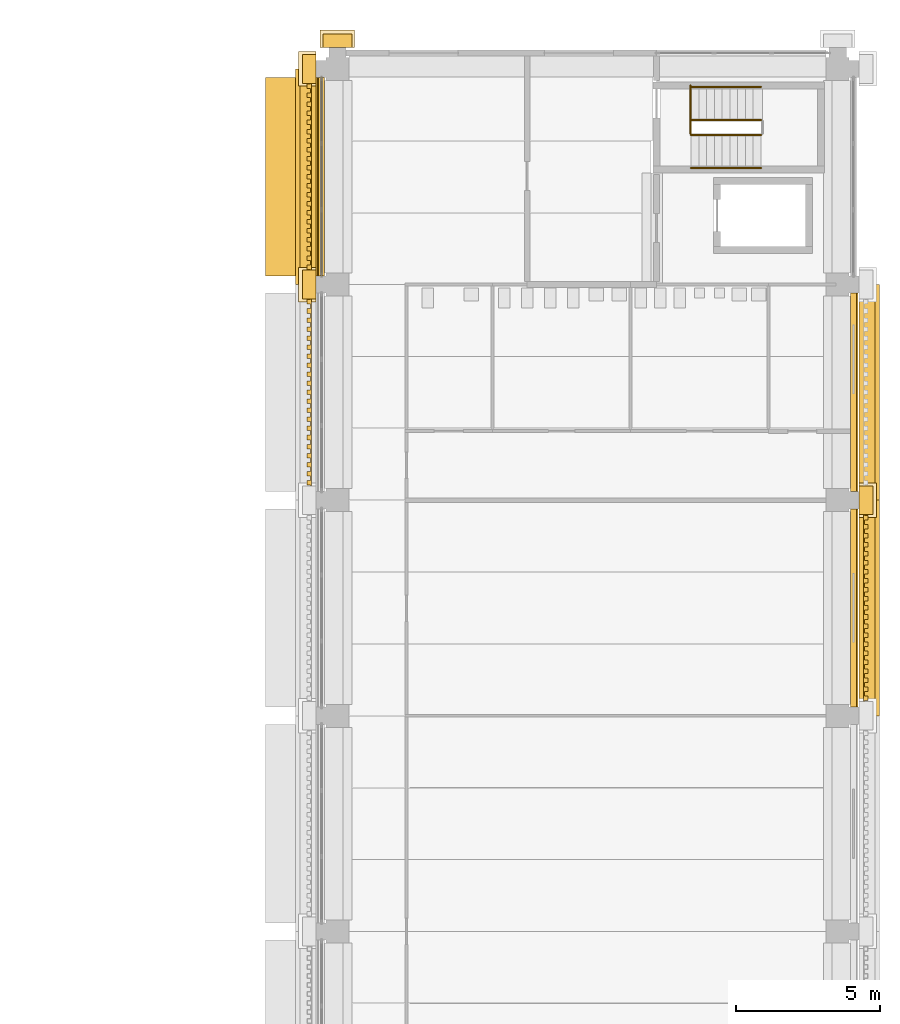
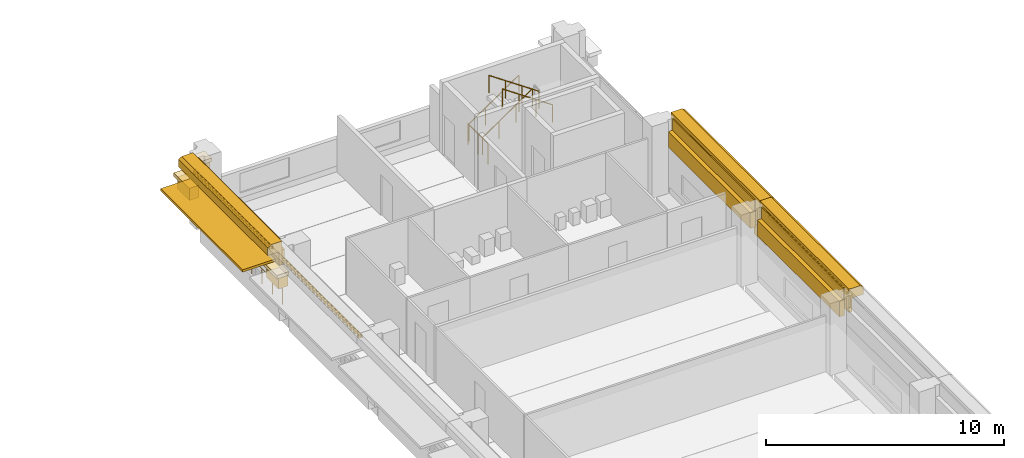
# One storey, part 65 of 71: 17 coverings, 6 railings, 1 shading device.
"""IFC4 building model written with IfcOpenShell, lengths in metres."""

from ifc_helpers import new_model, si_unit, direction, frame, origin, origin_2d, place, context, subcontext, project, spatial, polyline, circle, outline, extrude, material, layer, layer_set, type_object, element, save


model = new_model("IFC4")

# Units and contexts
model_context = context("Model", 3, precision=1e-05, world=origin(), true_north=direction((0.0, 1.0)))
body_context = subcontext(model_context, "Body", "Model", "MODEL_VIEW")
ifc_project = project(units=[si_unit("LENGTHUNIT", "METRE"), si_unit("AREAUNIT", "SQUARE_METRE"), si_unit("VOLUMEUNIT", "CUBIC_METRE"), si_unit("PLANEANGLEUNIT", "RADIAN"), si_unit("MASSUNIT", "GRAM", prefix="KILO")], contexts=[model_context])

# Site, building, storey
site_placement = place(None, origin())
site = spatial("IfcSite", under=ifc_project, at=site_placement, CompositionType="ELEMENT")
building_placement = place(site_placement, origin())
building = spatial("IfcBuilding", under=site, at=building_placement, Name="Cour d'Honneur Mobility Palace", CompositionType="ELEMENT")
storey_placement = place(building_placement, frame((0.0, 0.0, 15.60009765625)))
storey = spatial("IfcBuildingStorey", under=building, at=storey_placement, Name="L04", CompositionType="ELEMENT", Elevation=15.60009765625)

# Railing
ifc_material_1 = material(Name="Painted steel", Category="steel")
railing_type_1 = type_object("IfcRailingType", Name="Balustrade", PredefinedType="BALUSTRADE", material=ifc_material_1)
railing_1_placement = place(storey_placement, frame((144.35009765625, 114.60009765625, 0.2998046875)))
element("IfcRailing", 1, at=railing_1_placement, inside=storey, type_object=railing_type_1, Name="Balustrade BAL-228", PredefinedType="BALUSTRADE", context=body_context, shape_type="SweptSolid", body=[
    extrude(circle(Radius=0.02392578125, at=origin_2d()), frame((0.0, 0.0, 0.77587890625), z_axis=(0.0, -1.0, 0.0), x_axis=(1.0, 0.0, 0.0)), (0.0, 0.0, 1.0), 6.900146484375),
    extrude(circle(Radius=0.02099609375, at=origin_2d()), origin(), (0.0, 0.0, 1.0), 0.751953125),
    extrude(circle(Radius=0.02099609375, at=origin_2d()), frame((0.0, -0.862548828125, 0.0)), (0.0, 0.0, 1.0), 0.751953125),
    extrude(circle(Radius=0.02099609375, at=origin_2d()), frame((0.0, -1.72509765625, 0.0)), (0.0, 0.0, 1.0), 0.751953125),
    extrude(circle(Radius=0.02099609375, at=origin_2d()), frame((0.0, -2.587646484375, 0.0)), (0.0, 0.0, 1.0), 0.751953125),
    extrude(circle(Radius=0.02099609375, at=origin_2d()), frame((0.0, -3.4501953125, 0.0)), (0.0, 0.0, 1.0), 0.751953125),
    extrude(circle(Radius=0.02099609375, at=origin_2d()), frame((0.0, -4.3125, 0.0)), (0.0, 0.0, 1.0), 0.751953125),
    extrude(circle(Radius=0.02099609375, at=origin_2d()), frame((0.0, -5.175048828125, 0.0)), (0.0, 0.0, 1.0), 0.751953125),
    extrude(circle(Radius=0.02099609375, at=origin_2d()), frame((0.0, -6.03759765625, 0.0)), (0.0, 0.0, 1.0), 0.751953125),
    extrude(circle(Radius=0.02099609375, at=origin_2d()), frame((0.0, -6.900146484375, 0.0)), (0.0, 0.0, 1.0), 0.751953125),
])

# Coverings
ifc_material_2 = material(Name="Cast limestone", Category="masonry")
ifc_layer_1 = layer(ifc_material_2, 0.14990234375)
ifc_layer_set_1 = layer_set([ifc_layer_1], Name="Cast limestone")
covering_type_1 = type_object("IfcCoveringType", Name="Dentil course", PredefinedType="CLADDING", material=ifc_layer_set_1)
covering_1_placement = place(storey_placement, frame((0.0, 0.0, 3.14990234375)))
element("IfcCovering", 2, at=covering_1_placement, inside=storey, type_object=covering_type_1, Name="Dentil course DC-86", PredefinedType="CLADDING", context=body_context, shape_type="SweptSolid", body=[
    extrude(outline(polyline([(163.199951171875, 92.85009765625), (163.199951171875, 99.449951171875), (163.22998046875, 99.449951171875), (163.22998046875, 99.449951171875), (163.22998046875, 99.371337890625), (163.35009765625, 99.371337890625), (163.35009765625, 99.21435546875), (163.22998046875, 99.21435546875), (163.22998046875, 99.1357421875), (163.22998046875, 99.1357421875), (163.22998046875, 99.05712890625), (163.35009765625, 99.05712890625), (163.35009765625, 98.89990234375), (163.22998046875, 98.89990234375), (163.22998046875, 98.821533203125), (163.22998046875, 98.821533203125), (163.22998046875, 98.742919921875), (163.35009765625, 98.742919921875), (163.35009765625, 98.585693359375), (163.22998046875, 98.585693359375), (163.22998046875, 98.507080078125), (163.22998046875, 98.507080078125), (163.22998046875, 98.428466796875), (163.35009765625, 98.428466796875), (163.35009765625, 98.271484375), (163.22998046875, 98.271484375), (163.22998046875, 98.19287109375), (163.22998046875, 98.19287109375), (163.22998046875, 98.1142578125), (163.35009765625, 98.1142578125), (163.35009765625, 97.95703125), (163.22998046875, 97.95703125), (163.22998046875, 97.878662109375), (163.22998046875, 97.878662109375), (163.22998046875, 97.800048828125), (163.35009765625, 97.800048828125), (163.35009765625, 97.642822265625), (163.22998046875, 97.642822265625), (163.22998046875, 97.564208984375), (163.22998046875, 97.564208984375), (163.22998046875, 97.485595703125), (163.35009765625, 97.485595703125), (163.35009765625, 97.32861328125), (163.22998046875, 97.32861328125), (163.22998046875, 97.25), (163.22998046875, 97.25), (163.22998046875, 97.17138671875), (163.35009765625, 97.17138671875), (163.35009765625, 97.014404296875), (163.22998046875, 97.014404296875), (163.22998046875, 96.935791015625), (163.22998046875, 96.935791015625), (163.22998046875, 96.857177734375), (163.35009765625, 96.857177734375), (163.35009765625, 96.699951171875), (163.22998046875, 96.699951171875), (163.22998046875, 96.621337890625), (163.22998046875, 96.621337890625), (163.22998046875, 96.54296875), (163.35009765625, 96.54296875), (163.35009765625, 96.3857421875), (163.22998046875, 96.3857421875), (163.22998046875, 96.30712890625), (163.22998046875, 96.30712890625), (163.22998046875, 96.228515625), (163.35009765625, 96.228515625), (163.35009765625, 96.071533203125), (163.22998046875, 96.071533203125), (163.22998046875, 95.992919921875), (163.22998046875, 95.992919921875), (163.22998046875, 95.914306640625), (163.35009765625, 95.914306640625), (163.35009765625, 95.757080078125), (163.22998046875, 95.757080078125), (163.22998046875, 95.678466796875), (163.22998046875, 95.678466796875), (163.22998046875, 95.60009765625), (163.35009765625, 95.60009765625), (163.35009765625, 95.44287109375), (163.22998046875, 95.44287109375), (163.22998046875, 95.3642578125), (163.22998046875, 95.3642578125), (163.22998046875, 95.28564453125), (163.35009765625, 95.28564453125), (163.35009765625, 95.128662109375), (163.22998046875, 95.128662109375), (163.22998046875, 95.050048828125), (163.22998046875, 95.050048828125), (163.22998046875, 94.971435546875), (163.35009765625, 94.971435546875), (163.35009765625, 94.814208984375), (163.22998046875, 94.814208984375), (163.22998046875, 94.735595703125), (163.22998046875, 94.735595703125), (163.22998046875, 94.6572265625), (163.35009765625, 94.6572265625), (163.35009765625, 94.5), (163.22998046875, 94.5), (163.22998046875, 94.42138671875), (163.22998046875, 94.42138671875), (163.22998046875, 94.3427734375), (163.35009765625, 94.3427734375), (163.35009765625, 94.185791015625), (163.22998046875, 94.185791015625), (163.22998046875, 94.107177734375), (163.22998046875, 94.107177734375), (163.22998046875, 94.028564453125), (163.35009765625, 94.028564453125), (163.35009765625, 93.871337890625), (163.22998046875, 93.871337890625), (163.22998046875, 93.79296875), (163.22998046875, 93.79296875), (163.22998046875, 93.71435546875), (163.35009765625, 93.71435546875), (163.35009765625, 93.55712890625), (163.22998046875, 93.55712890625), (163.22998046875, 93.478515625), (163.22998046875, 93.478515625), (163.22998046875, 93.39990234375), (163.35009765625, 93.39990234375), (163.35009765625, 93.242919921875), (163.22998046875, 93.242919921875), (163.22998046875, 93.164306640625), (163.22998046875, 93.164306640625), (163.22998046875, 93.085693359375), (163.35009765625, 93.085693359375), (163.35009765625, 92.928466796875), (163.22998046875, 92.928466796875), (163.22998046875, 92.85009765625), (163.199951171875, 92.85009765625)])), origin(), (0.0, 0.0, 1.0), 0.14990234375),
])
covering_2_placement = place(storey_placement, frame((0.0, 0.0, 3.14990234375)))
element("IfcCovering", 3, at=covering_2_placement, inside=storey, type_object=covering_type_1, Name="Dentil course DC-88", PredefinedType="CLADDING", context=body_context, shape_type="SweptSolid", body=[
    extrude(outline(polyline([(144.0, 114.449951171875), (144.0, 107.85009765625), (143.969970703125, 107.85009765625), (143.969970703125, 107.85009765625), (143.969970703125, 107.928466796875), (143.85009765625, 107.928466796875), (143.85009765625, 108.085693359375), (143.969970703125, 108.085693359375), (143.969970703125, 108.164306640625), (143.969970703125, 108.164306640625), (143.969970703125, 108.242919921875), (143.85009765625, 108.242919921875), (143.85009765625, 108.39990234375), (143.969970703125, 108.39990234375), (143.969970703125, 108.478515625), (143.969970703125, 108.478515625), (143.969970703125, 108.55712890625), (143.85009765625, 108.55712890625), (143.85009765625, 108.71435546875), (143.969970703125, 108.71435546875), (143.969970703125, 108.79296875), (143.969970703125, 108.79296875), (143.969970703125, 108.871337890625), (143.85009765625, 108.871337890625), (143.85009765625, 109.028564453125), (143.969970703125, 109.028564453125), (143.969970703125, 109.107177734375), (143.969970703125, 109.107177734375), (143.969970703125, 109.185791015625), (143.85009765625, 109.185791015625), (143.85009765625, 109.3427734375), (143.969970703125, 109.3427734375), (143.969970703125, 109.42138671875), (143.969970703125, 109.42138671875), (143.969970703125, 109.5), (143.85009765625, 109.5), (143.85009765625, 109.6572265625), (143.969970703125, 109.6572265625), (143.969970703125, 109.735595703125), (143.969970703125, 109.735595703125), (143.969970703125, 109.814208984375), (143.85009765625, 109.814208984375), (143.85009765625, 109.971435546875), (143.969970703125, 109.971435546875), (143.969970703125, 110.050048828125), (143.969970703125, 110.050048828125), (143.969970703125, 110.128662109375), (143.85009765625, 110.128662109375), (143.85009765625, 110.28564453125), (143.969970703125, 110.28564453125), (143.969970703125, 110.3642578125), (143.969970703125, 110.3642578125), (143.969970703125, 110.44287109375), (143.85009765625, 110.44287109375), (143.85009765625, 110.60009765625), (143.969970703125, 110.60009765625), (143.969970703125, 110.678466796875), (143.969970703125, 110.678466796875), (143.969970703125, 110.757080078125), (143.85009765625, 110.757080078125), (143.85009765625, 110.914306640625), (143.969970703125, 110.914306640625), (143.969970703125, 110.992919921875), (143.969970703125, 110.992919921875), (143.969970703125, 111.071533203125), (143.85009765625, 111.071533203125), (143.85009765625, 111.228515625), (143.969970703125, 111.228515625), (143.969970703125, 111.30712890625), (143.969970703125, 111.30712890625), (143.969970703125, 111.3857421875), (143.85009765625, 111.3857421875), (143.85009765625, 111.54296875), (143.969970703125, 111.54296875), (143.969970703125, 111.621337890625), (143.969970703125, 111.621337890625), (143.969970703125, 111.699951171875), (143.85009765625, 111.699951171875), (143.85009765625, 111.857177734375), (143.969970703125, 111.857177734375), (143.969970703125, 111.935791015625), (143.969970703125, 111.935791015625), (143.969970703125, 112.014404296875), (143.85009765625, 112.014404296875), (143.85009765625, 112.17138671875), (143.969970703125, 112.17138671875), (143.969970703125, 112.25), (143.969970703125, 112.25), (143.969970703125, 112.32861328125), (143.85009765625, 112.32861328125), (143.85009765625, 112.485595703125), (143.969970703125, 112.485595703125), (143.969970703125, 112.564208984375), (143.969970703125, 112.564208984375), (143.969970703125, 112.642822265625), (143.85009765625, 112.642822265625), (143.85009765625, 112.800048828125), (143.969970703125, 112.800048828125), (143.969970703125, 112.878662109375), (143.969970703125, 112.878662109375), (143.969970703125, 112.95703125), (143.85009765625, 112.95703125), (143.85009765625, 113.1142578125), (143.969970703125, 113.1142578125), (143.969970703125, 113.19287109375), (143.969970703125, 113.19287109375), (143.969970703125, 113.271484375), (143.85009765625, 113.271484375), (143.85009765625, 113.428466796875), (143.969970703125, 113.428466796875), (143.969970703125, 113.507080078125), (143.969970703125, 113.507080078125), (143.969970703125, 113.585693359375), (143.85009765625, 113.585693359375), (143.85009765625, 113.742919921875), (143.969970703125, 113.742919921875), (143.969970703125, 113.821533203125), (143.969970703125, 113.821533203125), (143.969970703125, 113.89990234375), (143.85009765625, 113.89990234375), (143.85009765625, 114.05712890625), (143.969970703125, 114.05712890625), (143.969970703125, 114.1357421875), (143.969970703125, 114.1357421875), (143.969970703125, 114.21435546875), (143.85009765625, 114.21435546875), (143.85009765625, 114.371337890625), (143.969970703125, 114.371337890625), (143.969970703125, 114.449951171875), (144.0, 114.449951171875)])), origin(), (0.0, 0.0, 1.0), 0.14990234375),
])
covering_3_placement = place(storey_placement, frame((0.0, 0.0, 3.14990234375)))
element("IfcCovering", 4, at=covering_3_placement, inside=storey, type_object=covering_type_1, Name="Dentil course DC-89", PredefinedType="CLADDING", context=body_context, shape_type="SweptSolid", body=[
    extrude(outline(polyline([(144.0, 106.949951171875), (144.0, 100.35009765625), (143.969970703125, 100.35009765625), (143.969970703125, 100.35009765625), (143.969970703125, 100.428466796875), (143.85009765625, 100.428466796875), (143.85009765625, 100.585693359375), (143.969970703125, 100.585693359375), (143.969970703125, 100.664306640625), (143.969970703125, 100.664306640625), (143.969970703125, 100.742919921875), (143.85009765625, 100.742919921875), (143.85009765625, 100.89990234375), (143.969970703125, 100.89990234375), (143.969970703125, 100.978515625), (143.969970703125, 100.978515625), (143.969970703125, 101.05712890625), (143.85009765625, 101.05712890625), (143.85009765625, 101.21435546875), (143.969970703125, 101.21435546875), (143.969970703125, 101.29296875), (143.969970703125, 101.29296875), (143.969970703125, 101.371337890625), (143.85009765625, 101.371337890625), (143.85009765625, 101.528564453125), (143.969970703125, 101.528564453125), (143.969970703125, 101.607177734375), (143.969970703125, 101.607177734375), (143.969970703125, 101.685791015625), (143.85009765625, 101.685791015625), (143.85009765625, 101.8427734375), (143.969970703125, 101.8427734375), (143.969970703125, 101.92138671875), (143.969970703125, 101.92138671875), (143.969970703125, 102.0), (143.85009765625, 102.0), (143.85009765625, 102.1572265625), (143.969970703125, 102.1572265625), (143.969970703125, 102.235595703125), (143.969970703125, 102.235595703125), (143.969970703125, 102.314208984375), (143.85009765625, 102.314208984375), (143.85009765625, 102.471435546875), (143.969970703125, 102.471435546875), (143.969970703125, 102.550048828125), (143.969970703125, 102.550048828125), (143.969970703125, 102.628662109375), (143.85009765625, 102.628662109375), (143.85009765625, 102.78564453125), (143.969970703125, 102.78564453125), (143.969970703125, 102.8642578125), (143.969970703125, 102.8642578125), (143.969970703125, 102.94287109375), (143.85009765625, 102.94287109375), (143.85009765625, 103.10009765625), (143.969970703125, 103.10009765625), (143.969970703125, 103.178466796875), (143.969970703125, 103.178466796875), (143.969970703125, 103.257080078125), (143.85009765625, 103.257080078125), (143.85009765625, 103.414306640625), (143.969970703125, 103.414306640625), (143.969970703125, 103.492919921875), (143.969970703125, 103.492919921875), (143.969970703125, 103.571533203125), (143.85009765625, 103.571533203125), (143.85009765625, 103.728515625), (143.969970703125, 103.728515625), (143.969970703125, 103.80712890625), (143.969970703125, 103.80712890625), (143.969970703125, 103.8857421875), (143.85009765625, 103.8857421875), (143.85009765625, 104.04296875), (143.969970703125, 104.04296875), (143.969970703125, 104.121337890625), (143.969970703125, 104.121337890625), (143.969970703125, 104.199951171875), (143.85009765625, 104.199951171875), (143.85009765625, 104.357177734375), (143.969970703125, 104.357177734375), (143.969970703125, 104.435791015625), (143.969970703125, 104.435791015625), (143.969970703125, 104.514404296875), (143.85009765625, 104.514404296875), (143.85009765625, 104.67138671875), (143.969970703125, 104.67138671875), (143.969970703125, 104.75), (143.969970703125, 104.75), (143.969970703125, 104.82861328125), (143.85009765625, 104.82861328125), (143.85009765625, 104.985595703125), (143.969970703125, 104.985595703125), (143.969970703125, 105.064208984375), (143.969970703125, 105.064208984375), (143.969970703125, 105.142822265625), (143.85009765625, 105.142822265625), (143.85009765625, 105.300048828125), (143.969970703125, 105.300048828125), (143.969970703125, 105.378662109375), (143.969970703125, 105.378662109375), (143.969970703125, 105.45703125), (143.85009765625, 105.45703125), (143.85009765625, 105.6142578125), (143.969970703125, 105.6142578125), (143.969970703125, 105.69287109375), (143.969970703125, 105.69287109375), (143.969970703125, 105.771484375), (143.85009765625, 105.771484375), (143.85009765625, 105.928466796875), (143.969970703125, 105.928466796875), (143.969970703125, 106.007080078125), (143.969970703125, 106.007080078125), (143.969970703125, 106.085693359375), (143.85009765625, 106.085693359375), (143.85009765625, 106.242919921875), (143.969970703125, 106.242919921875), (143.969970703125, 106.321533203125), (143.969970703125, 106.321533203125), (143.969970703125, 106.39990234375), (143.85009765625, 106.39990234375), (143.85009765625, 106.55712890625), (143.969970703125, 106.55712890625), (143.969970703125, 106.6357421875), (143.969970703125, 106.6357421875), (143.969970703125, 106.71435546875), (143.85009765625, 106.71435546875), (143.85009765625, 106.871337890625), (143.969970703125, 106.871337890625), (143.969970703125, 106.949951171875), (144.0, 106.949951171875)])), origin(), (0.0, 0.0, 1.0), 0.14990234375),
])

# Shading device
ifc_material_3 = material(Name="Anodised aluminium", Category="aluminium")
ifc_layer_2 = layer(ifc_material_3, 0.1201171875)
ifc_layer_set_2 = layer_set([ifc_layer_2], Name="Anodised aluminium")
shading_device_type = type_object("IfcShadingDeviceType", Name="Eave sunshade 1800", PredefinedType="AWNING", material=ifc_layer_set_2)
shading_device_placement = place(storey_placement, frame((0.0, 0.0, 2.6298828125)))
element("IfcShadingDevice", 5, at=shading_device_placement, inside=storey, type_object=shading_device_type, Name="Sunshade W7.0 L04", PredefinedType="AWNING", context=body_context, shape_type="SweptSolid", body=[
    extrude(outline(polyline([(144.199951171875, 114.60009765625), (144.199951171875, 107.699951171875), (142.39990234375, 107.699951171875), (142.39990234375, 114.60009765625), (144.199951171875, 114.60009765625)])), origin(), (0.0, 0.0, 1.0), 0.1201171875),
])

# Coverings
ifc_material_4 = material(Name="Cast limestone", Category="masonry")
ifc_layer_3 = layer(ifc_material_4, 0.699951171875)
ifc_layer_set_3 = layer_set([ifc_layer_3], Name="Cast limestone")
covering_type_2 = type_object("IfcCoveringType", Name="Entablature", PredefinedType="CLADDING", material=ifc_layer_set_3)
for number, where, z_axis, x_axis, name in (
    (6, (163.050048828125, 92.39990234375, 2.599853515625), (0.0, -1.0, 0.0), (1.0, 0.0, 0.0), "Entablature EN-86"),
    (7, (163.050048828125, 99.89990234375, 2.599853515625), (0.0, -1.0, 0.0), (1.0, 0.0, 0.0), "Entablature EN-87"),
):
    element("IfcCovering", number, at=place(storey_placement, frame(where, z_axis=z_axis, x_axis=x_axis)), inside=storey, type_object=covering_type_2, Name=name, PredefinedType="CLADDING", context=body_context, shape_type="SweptSolid", body=[
        extrude(outline(polyline([(0.0, 0.0), (0.14990234375, 0.0), (0.14990234375, 0.699951171875), (0.699951171875, 0.699951171875), (0.699951171875, 1.10009765625), (0.550048828125, 1.199951171875), (0.0, 1.199951171875), (0.0, 0.0)])), origin(), (0.0, 0.0, -1.0), 7.5),
    ])
covering_4_placement = place(storey_placement, frame((144.14990234375, 114.89990234375, 2.599853515625), z_axis=(0.0, 1.0, 0.0), x_axis=(-1.0, 0.0, 0.0)))
element("IfcCovering", 8, at=covering_4_placement, inside=storey, type_object=covering_type_2, Name="Entablature EN-88", PredefinedType="CLADDING", context=body_context, shape_type="SweptSolid", body=[
    extrude(outline(polyline([(0.0, 0.0), (0.14990234375, 0.0), (0.14990234375, 0.699951171875), (0.699951171875, 0.699951171875), (0.699951171875, 1.10009765625), (0.5498046875, 1.199951171875), (0.0, 1.199951171875), (0.0, 0.0)])), origin(), (0.0, 0.0, -1.0), 7.5),
])

# Railings
ifc_material_5 = material(Name="Painted steel", Category="steel")
railing_type_2 = type_object("IfcRailingType", Name="Guardrail 1100", PredefinedType="GUARDRAIL", material=ifc_material_5)
railing_2_placement = place(storey_placement, frame((157.179931640625, 112.64990234375, 0.0)))
element("IfcRailing", 9, at=railing_2_placement, inside=storey, type_object=railing_type_2, Name="Guard ST-NE1", PredefinedType="GUARDRAIL", context=body_context, shape_type="SweptSolid", body=[
    extrude(circle(Radius=0.02490234375, at=origin_2d()), frame((0.0, 0.0, 1.0751953125), z_axis=(0.0, 1.0, 0.0), x_axis=(-1.0, 0.0, 0.0)), (0.0, 0.0, 1.0), 1.675048828125),
    extrude(circle(Radius=0.02099609375, at=origin_2d()), origin(), (0.0, 0.0, 1.0), 1.050048828125),
    extrude(circle(Radius=0.02099609375, at=origin_2d()), frame((0.0, 0.83740234375, 0.0)), (0.0, 0.0, 1.0), 1.050048828125),
    extrude(circle(Radius=0.02099609375, at=origin_2d()), frame((0.0, 1.675048828125, 0.0)), (0.0, 0.0, 1.0), 1.050048828125),
])
ifc_material_6 = material(Name="Stainless steel", Category="steel")
railing_type_3 = type_object("IfcRailingType", Name="Handrail round 50", PredefinedType="HANDRAIL", material=ifc_material_6)
for number, where, name in (
    (10, (157.199951171875, 114.27490234375, 0.184814453125), "Handrail ST-NE1"),
    (11, (157.199951171875, 113.125, 0.184814453125), "Handrail ST-NE1"),
):
    element("IfcRailing", number, at=place(storey_placement, frame(where)), inside=storey, type_object=railing_type_3, Name=name, PredefinedType="HANDRAIL", context=body_context, shape_type="SweptSolid", body=[
        extrude(circle(Radius=0.02490234375, at=origin_2d()), frame((0.0, 0.0, 0.89501953125), z_axis=(0.8249187745, 0.0, 0.56525128525), x_axis=(0.0, 1.0, 0.0)), (0.0, 0.0, 1.0), 2.945556640625),
        extrude(circle(Radius=0.02099609375, at=origin_2d()), origin(), (0.0, 0.0, 1.0), 0.869873046875),
        extrude(circle(Radius=0.02099609375, at=origin_2d()), frame((0.81005859375, 0.0, 0.554931640625)), (0.0, 0.0, 1.0), 0.869873046875),
        extrude(circle(Radius=0.02099609375, at=origin_2d()), frame((1.619873046875, 0.0, 1.110107421875)), (0.0, 0.0, 1.0), 0.869873046875),
        extrude(circle(Radius=0.02099609375, at=origin_2d()), frame((2.429931640625, 0.0, 1.6650390625)), (0.0, 0.0, 1.0), 0.869873046875),
    ])
for number, where, name in (
    (12, (159.6298828125, 112.60009765625, 2.034912109375), "Handrail ST-NE1"),
    (13, (159.6298828125, 111.449951171875, 2.034912109375), "Handrail ST-NE1"),
):
    element("IfcRailing", number, at=place(storey_placement, frame(where)), inside=storey, type_object=railing_type_3, Name=name, PredefinedType="HANDRAIL", context=body_context, shape_type="SweptSolid", body=[
        extrude(circle(Radius=0.02490234375, at=origin_2d()), frame((0.0, 0.0, 0.89501953125), z_axis=(-0.8249187745, 0.0, 0.56525128525), x_axis=(0.0, -1.0, 0.0)), (0.0, 0.0, 1.0), 2.945556640625),
        extrude(circle(Radius=0.02099609375, at=origin_2d()), origin(), (0.0, 0.0, 1.0), 0.869873046875),
        extrude(circle(Radius=0.02099609375, at=origin_2d()), frame((-0.81005859375, 0.0, 0.554931640625)), (0.0, 0.0, 1.0), 0.869873046875),
        extrude(circle(Radius=0.02099609375, at=origin_2d()), frame((-1.619873046875, 0.0, 1.110107421875)), (0.0, 0.0, 1.0), 0.869873046875),
        extrude(circle(Radius=0.02099609375, at=origin_2d()), frame((-2.429931640625, 0.0, 1.6650390625)), (0.0, 0.0, 1.0), 0.869873046875),
    ])

# Coverings
ifc_material_7 = material(Name="Cast limestone", Category="masonry")
ifc_layer_4 = layer(ifc_material_7, 0.1201171875)
ifc_layer_set_4 = layer_set([ifc_layer_4], Name="Cast limestone")
covering_type_3 = type_object("IfcCoveringType", Name="Pilaster capital", PredefinedType="CLADDING", material=ifc_layer_set_4)
covering_5_placement = place(storey_placement, frame((0.0, 0.0, 1.7998046875)))
element("IfcCovering", 14, at=covering_5_placement, inside=storey, type_object=covering_type_3, Name="Pilaster capital PK-97", PredefinedType="CLADDING", context=body_context, shape_type="SweptSolid", body=[
    extrude(outline(polyline([(163.050048828125, 99.39990234375), (163.050048828125, 100.39990234375), (163.52001953125, 100.39990234375), (163.52001953125, 99.39990234375), (163.050048828125, 99.39990234375)])), origin(), (0.0, 0.0, 1.0), 0.6201171875),
])
covering_6_placement = place(storey_placement, frame((0.0, 0.0, 2.419921875)))
element("IfcCovering", 15, at=covering_6_placement, inside=storey, type_object=covering_type_3, Name="Pilaster capital PK-98", PredefinedType="CLADDING", context=body_context, shape_type="SweptSolid", body=[
    extrude(outline(polyline([(163.050048828125, 99.300048828125), (163.050048828125, 100.5), (163.64990234375, 100.5), (163.64990234375, 99.300048828125), (163.050048828125, 99.300048828125)])), origin(), (0.0, 0.0, 1.0), 0.179931640625),
])
covering_7_placement = place(storey_placement, frame((0.0, 0.0, 1.7998046875)))
element("IfcCovering", 16, at=covering_7_placement, inside=storey, type_object=covering_type_3, Name="Pilaster capital PK-105", PredefinedType="CLADDING", context=body_context, shape_type="SweptSolid", body=[
    extrude(outline(polyline([(145.39990234375, 115.64990234375), (144.39990234375, 115.64990234375), (144.39990234375, 116.1201171875), (145.39990234375, 116.1201171875), (145.39990234375, 115.64990234375)])), origin(), (0.0, 0.0, 1.0), 0.6201171875),
])
covering_8_placement = place(storey_placement, frame((0.0, 0.0, 2.419921875)))
element("IfcCovering", 17, at=covering_8_placement, inside=storey, type_object=covering_type_3, Name="Pilaster capital PK-106", PredefinedType="CLADDING", context=body_context, shape_type="SweptSolid", body=[
    extrude(outline(polyline([(145.5, 115.64990234375), (144.300048828125, 115.64990234375), (144.300048828125, 116.25), (145.5, 116.25), (145.5, 115.64990234375)])), origin(), (0.0, 0.0, 1.0), 0.179931640625),
])
covering_9_placement = place(storey_placement, frame((0.0, 0.0, 1.7998046875)))
element("IfcCovering", 18, at=covering_9_placement, inside=storey, type_object=covering_type_3, Name="Pilaster capital PK-107", PredefinedType="CLADDING", context=body_context, shape_type="SweptSolid", body=[
    extrude(outline(polyline([(144.14990234375, 115.39990234375), (144.14990234375, 114.39990234375), (143.679931640625, 114.39990234375), (143.679931640625, 115.39990234375), (144.14990234375, 115.39990234375)])), origin(), (0.0, 0.0, 1.0), 0.6201171875),
])
covering_10_placement = place(storey_placement, frame((0.0, 0.0, 2.419921875)))
element("IfcCovering", 19, at=covering_10_placement, inside=storey, type_object=covering_type_3, Name="Pilaster capital PK-108", PredefinedType="CLADDING", context=body_context, shape_type="SweptSolid", body=[
    extrude(outline(polyline([(144.14990234375, 115.5), (144.14990234375, 114.300048828125), (143.550048828125, 114.300048828125), (143.550048828125, 115.5), (144.14990234375, 115.5)])), origin(), (0.0, 0.0, 1.0), 0.179931640625),
])
covering_11_placement = place(storey_placement, frame((0.0, 0.0, 1.7998046875)))
element("IfcCovering", 20, at=covering_11_placement, inside=storey, type_object=covering_type_3, Name="Pilaster capital PK-109", PredefinedType="CLADDING", context=body_context, shape_type="SweptSolid", body=[
    extrude(outline(polyline([(144.14990234375, 107.89990234375), (144.14990234375, 106.89990234375), (143.679931640625, 106.89990234375), (143.679931640625, 107.89990234375), (144.14990234375, 107.89990234375)])), origin(), (0.0, 0.0, 1.0), 0.6201171875),
])
covering_12_placement = place(storey_placement, frame((0.0, 0.0, 2.419921875)))
element("IfcCovering", 21, at=covering_12_placement, inside=storey, type_object=covering_type_3, Name="Pilaster capital PK-110", PredefinedType="CLADDING", context=body_context, shape_type="SweptSolid", body=[
    extrude(outline(polyline([(144.14990234375, 108.0), (144.14990234375, 106.800048828125), (143.550048828125, 106.800048828125), (143.550048828125, 108.0), (144.14990234375, 108.0)])), origin(), (0.0, 0.0, 1.0), 0.179931640625),
])
ifc_material_8 = material(Name="Cast limestone", Category="masonry")
ifc_layer_5 = layer(ifc_material_8, 0.25)
ifc_layer_set_5 = layer_set([ifc_layer_5], Name="Cast limestone")
covering_type_4 = type_object("IfcCoveringType", Name="Spandrel cladding", PredefinedType="CLADDING", material=ifc_layer_set_5)
for number, where, z_axis, x_axis, name in (
    (22, (162.75, 92.699951171875, 2.2998046875), (0.0, -1.0, 0.0), (1.0, 0.0, 0.0), "Spandrel cladding SK-305"),
    (23, (162.75, 100.199951171875, 2.2998046875), (0.0, -1.0, 0.0), (1.0, 0.0, 0.0), "Spandrel cladding SK-306"),
    (24, (144.449951171875, 114.60009765625, 2.2998046875), (0.0, 1.0, 0.0), (-1.0, 0.0, 0.0), "Spandrel cladding SK-307"),
):
    element("IfcCovering", number, at=place(storey_placement, frame(where, z_axis=z_axis, x_axis=x_axis)), inside=storey, type_object=covering_type_4, Name=name, PredefinedType="CLADDING", context=body_context, shape_type="SweptSolid", body=[
        extrude(outline(polyline([(0.0, 0.0), (0.25, 0.0), (0.25, 1.400146484375), (0.199951171875, 1.400146484375), (0.199951171875, 0.800048828125), (0.0, 0.800048828125), (0.0, 0.0)])), origin(), (0.0, 0.0, -1.0), 6.89990234375),
    ])

save(model, "model.ifc")
